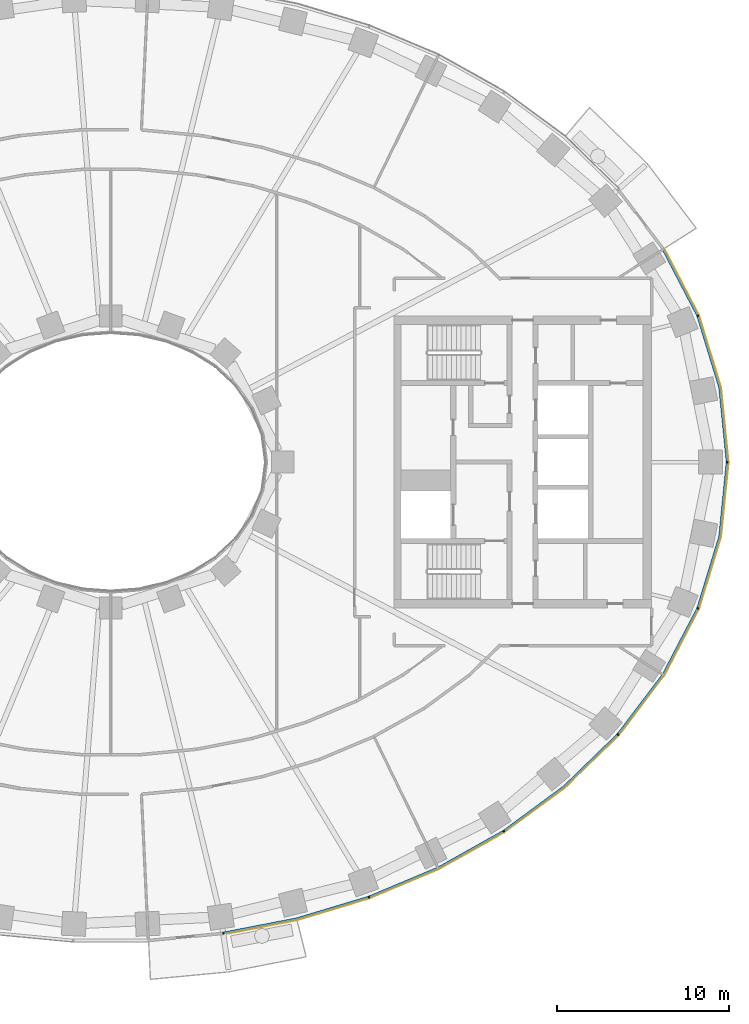
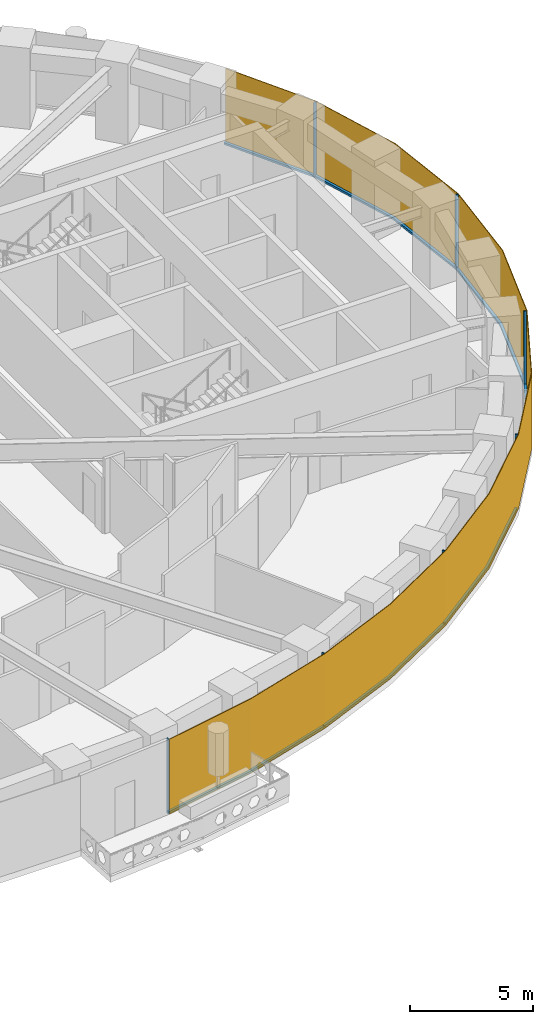
# One storey, part 10 of 16: 14 members, 1 curtain wall.
"""IFC4 building model written with IfcOpenShell, lengths in metres."""

from ifc_helpers import new_model, si_unit, direction, frame, origin, origin_2d, place, context, subcontext, project, spatial, polyline, rectangle, outline, extrude, material, layer, layer_set, material_profile, profile_set, type_object, element, aggregate, save


model = new_model("IFC4")

# Units and contexts
model_context = context("Model", 3, precision=1e-05, world=origin(), true_north=direction((0.0, 1.0)))
body_context = subcontext(model_context, "Body", "Model", "MODEL_VIEW")
ifc_project = project(units=[si_unit("LENGTHUNIT", "METRE"), si_unit("AREAUNIT", "SQUARE_METRE"), si_unit("VOLUMEUNIT", "CUBIC_METRE"), si_unit("PLANEANGLEUNIT", "RADIAN"), si_unit("MASSUNIT", "GRAM", prefix="KILO")], contexts=[model_context])

# Member
ifc_material_1 = material(Name="Aluminium 6063-T6 black anodised", Category="aluminium")
ifc_material_profile = material_profile(ifc_material_1, rectangle(XDim=0.1201171875, YDim=0.06005859375, at=origin_2d()), Name="120x60")
ifc_profile_set = profile_set([ifc_material_profile], Name="Aluminium 6063-T6 black anodised")
member_type_1 = type_object("IfcMemberType", Name="ENV-MULLION-A-120", PredefinedType="MULLION", material=ifc_profile_set)
site_placement = place(None, origin())
building_placement = place(site_placement, origin())
storey_placement = place(building_placement, frame((0.0, 0.0, 78.5)))
member_1_placement = place(storey_placement, frame((6.54638671875, -27.440185546875, 0.0), z_axis=(0.0, 0.0, 1.0), x_axis=(-0.143082012705, 0.989710835366, 0.0)))
member_1 = element("IfcMember", 1, at=member_1_placement, type_object=member_type_1, Name="Mullion A radial 37", PredefinedType="MULLION", context=body_context, shape_type="SweptSolid", body=[
    extrude(rectangle(XDim=0.1201171875, YDim=0.06005859375, at=origin_2d()), origin(), (0.0, 0.0, 1.0), 3.699951171875),
])

member_2_placement = place(storey_placement, frame((15.0341796875, -25.34375, 0.0), z_axis=(0.0, 0.0, 1.0), x_axis=(-0.338379256581, 0.941009818608, 0.0)))
member_2 = element("IfcMember", 2, at=member_2_placement, type_object=member_type_1, Name="Mullion A radial 39", PredefinedType="MULLION", context=body_context, shape_type="SweptSolid", body=[
    extrude(rectangle(XDim=0.1201171875, YDim=0.06005859375, at=origin_2d()), origin(), (0.0, 0.0, 1.0), 3.699951171875),
])

member_3_placement = place(storey_placement, frame((22.882568359375, -21.506591796875, 0.0), z_axis=(0.0, 0.0, 1.0), x_axis=(-0.542279153225, 0.840198381323, 0.0)))
member_3 = element("IfcMember", 3, at=member_3_placement, type_object=member_type_1, Name="Mullion A radial 41", PredefinedType="MULLION", context=body_context, shape_type="SweptSolid", body=[
    extrude(rectangle(XDim=0.1201171875, YDim=0.06005859375, at=origin_2d()), origin(), (0.0, 0.0, 1.0), 3.699951171875),
])

member_4_placement = place(storey_placement, frame((29.53857421875, -15.8671875, 0.0), z_axis=(0.0, 0.0, 1.0), x_axis=(-0.749047221705, 0.662516610853, 0.0)))
member_4 = element("IfcMember", 4, at=member_4_placement, type_object=member_type_1, Name="Mullion A radial 43", PredefinedType="MULLION", context=body_context, shape_type="SweptSolid", body=[
    extrude(rectangle(XDim=0.1201171875, YDim=0.06005859375, at=origin_2d()), origin(), (0.0, 0.0, 1.0), 3.699951171875),
])

member_5_placement = place(storey_placement, frame((34.19580078125, -8.513916015625, 0.0), z_axis=(0.0, 0.0, 1.0), x_axis=(-0.92546738067, 0.378827305398, 0.0)))
member_5 = element("IfcMember", 5, at=member_5_placement, type_object=member_type_1, Name="Mullion A radial 45", PredefinedType="MULLION", context=body_context, shape_type="SweptSolid", body=[
    extrude(rectangle(XDim=0.1201171875, YDim=0.06005859375, at=origin_2d()), origin(), (0.0, 0.0, 1.0), 3.699951171875),
])

member_6_placement = place(storey_placement, frame((35.907958984375, 0.0, 0.0), z_axis=(0.0, 0.0, 1.0), x_axis=(-1.0, 0.0, 0.0)))
member_6 = element("IfcMember", 6, at=member_6_placement, type_object=member_type_1, Name="Mullion A radial 01", PredefinedType="MULLION", context=body_context, shape_type="SweptSolid", body=[
    extrude(rectangle(XDim=0.1201171875, YDim=0.06005859375, at=origin_2d()), origin(), (0.0, 0.0, 1.0), 3.699951171875),
])

member_7_placement = place(storey_placement, frame((34.19580078125, 8.513916015625, 0.0), z_axis=(0.0, 0.0, 1.0), x_axis=(-0.92546738067, -0.378827305398, 0.0)))
member_7 = element("IfcMember", 7, at=member_7_placement, type_object=member_type_1, Name="Mullion A radial 03", PredefinedType="MULLION", context=body_context, shape_type="SweptSolid", body=[
    extrude(rectangle(XDim=0.1201171875, YDim=0.06005859375, at=origin_2d()), origin(), (0.0, 0.0, 1.0), 3.699951171875),
])

ifc_material_2 = material(Name="Aluminium 6063-T6 black anodised", Category="aluminium")
member_type_2 = type_object("IfcMemberType", Name="ENV-TRANSOM-A", PredefinedType="USERDEFINED", material=ifc_material_2)
member_8_placement = place(storey_placement, origin())
member_8 = element("IfcMember", 8, at=member_8_placement, type_object=member_type_2, Name="Transom A radial 37-39", ObjectType="TRANSOM", PredefinedType="USERDEFINED", context=body_context, shape_type="SweptSolid", body=[
    extrude(outline(polyline([(6.58251953125, -27.494140625), (10.857666015625, -26.6630859375), (15.027587890625, -25.408203125), (14.987060546875, -25.295166015625), (10.828857421875, -26.54638671875), (6.5654296875, -27.375244140625), (6.58251953125, -27.494140625)])), origin(), (0.0, 0.0, 1.0), 0.10009765625),
])

member_9_placement = place(storey_placement, origin())
member_9 = element("IfcMember", 9, at=member_9_placement, type_object=member_type_2, Name="Transom A radial 39-41", ObjectType="TRANSOM", PredefinedType="USERDEFINED", context=body_context, shape_type="SweptSolid", body=[
    extrude(outline(polyline([(15.080322265625, -25.389404296875), (19.093994140625, -23.701416015625), (22.890625, -21.570556640625), (22.825439453125, -21.469482421875), (19.041259765625, -23.593505859375), (15.03955078125, -25.276123046875), (15.080322265625, -25.389404296875)])), origin(), (0.0, 0.0, 1.0), 0.10009765625),
])

member_10_placement = place(storey_placement, origin())
member_10 = element("IfcMember", 10, at=member_10_placement, type_object=member_type_2, Name="Transom A radial 41-43", ObjectType="TRANSOM", PredefinedType="USERDEFINED", context=body_context, shape_type="SweptSolid", body=[
    extrude(outline(polyline([(22.937744140625, -21.540283203125), (26.4423828125, -18.958740234375), (29.5634765625, -15.926513671875), (29.473388671875, -15.8466796875), (26.364501953125, -18.866943359375), (22.87255859375, -21.439208984375), (22.937744140625, -21.540283203125)])), origin(), (0.0, 0.0, 1.0), 0.10009765625),
])

member_11_placement = place(storey_placement, origin())
member_11 = element("IfcMember", 11, at=member_11_placement, type_object=member_type_2, Name="Transom A radial 43-45", ObjectType="TRANSOM", PredefinedType="USERDEFINED", context=body_context, shape_type="SweptSolid", body=[
    extrude(outline(polyline([(29.6005859375, -15.884521484375), (32.22802734375, -12.41748046875), (34.23828125, -8.5615234375), (34.126708984375, -8.515869140625), (32.126220703125, -12.35302734375), (29.51025390625, -15.8046875), (29.6005859375, -15.884521484375)])), origin(), (0.0, 0.0, 1.0), 0.10009765625),
])

member_12_placement = place(storey_placement, origin())
member_12 = element("IfcMember", 12, at=member_12_placement, type_object=member_type_2, Name="Transom A radial 45-01", ObjectType="TRANSOM", PredefinedType="USERDEFINED", context=body_context, shape_type="SweptSolid", body=[
    extrude(outline(polyline([(34.259521484375, -8.509765625), (35.529541015625, -4.352294921875), (35.965087890625, -0.02783203125), (35.844482421875, -0.02783203125), (35.411376953125, -4.32861328125), (34.14794921875, -8.464111328125), (34.259521484375, -8.509765625)])), origin(), (0.0, 0.0, 1.0), 0.10009765625),
])

member_13_placement = place(storey_placement, origin())
member_13 = element("IfcMember", 13, at=member_13_placement, type_object=member_type_2, Name="Transom A radial 01-03", ObjectType="TRANSOM", PredefinedType="USERDEFINED", context=body_context, shape_type="SweptSolid", body=[
    extrude(outline(polyline([(35.965087890625, 0.02783203125), (35.529541015625, 4.352294921875), (34.259521484375, 8.509765625), (34.14794921875, 8.464111328125), (35.411376953125, 4.32861328125), (35.844482421875, 0.02783203125), (35.965087890625, 0.02783203125)])), origin(), (0.0, 0.0, 1.0), 0.10009765625),
])

member_14_placement = place(storey_placement, origin())
member_14 = element("IfcMember", 14, at=member_14_placement, type_object=member_type_2, Name="Transom A radial 03-04", ObjectType="TRANSOM", PredefinedType="USERDEFINED", context=body_context, shape_type="SweptSolid", body=[
    extrude(outline(polyline([(34.23828125, 8.5615234375), (32.2373046875, 12.39990234375), (32.135498046875, 12.33544921875), (34.126708984375, 8.515869140625), (34.23828125, 8.5615234375)])), origin(), (0.0, 0.0, 1.0), 0.10009765625),
])

# Site, building, storey
site = spatial("IfcSite", under=ifc_project, at=site_placement, CompositionType="ELEMENT")
building = spatial("IfcBuilding", under=site, at=building_placement, Name="Noorbagh Ring Tower", CompositionType="ELEMENT")
storey = spatial("IfcBuildingStorey", under=building, at=storey_placement, Name="L17", CompositionType="ELEMENT", Elevation=78.5)

# Curtain wall
ifc_material_3 = material(Name="Glass dark tinted laminated", Category="glass")
ifc_layer = layer(ifc_material_3, 0.031982421875)
ifc_layer_set = layer_set([ifc_layer], Name="Glass dark tinted laminated")
curtain_wall_type = type_object("IfcCurtainWallType", Name="ENV-CW-A", PredefinedType="NOTDEFINED", material=ifc_layer_set)
curtain_wall_placement = place(storey_placement, origin())
curtain_wall = element("IfcCurtainWall", 15, at=curtain_wall_placement, inside=storey, type_object=curtain_wall_type, Name="Curtain wall A R37", PredefinedType="NOTDEFINED", context=body_context, shape_type="SweptSolid", body=[
    extrude(outline(polyline([(6.579345703125, -27.52734375), (10.865234375, -26.6943359375), (15.065185546875, -25.430419921875), (19.108154296875, -23.730224609375), (22.9326171875, -21.583740234375), (26.463134765625, -18.9833984375), (29.607666015625, -15.927978515625), (32.255126953125, -12.434814453125), (34.281005859375, -8.548828125), (35.561279296875, -4.358642578125), (36.0, 0.0), (35.561279296875, 4.358642578125), (34.281005859375, 8.548828125), (32.264404296875, 12.4169921875), (32.2373046875, 12.39990234375), (34.251220703125, 8.53662109375), (35.529541015625, 4.352294921875), (35.9677734375, 0.0), (35.529541015625, -4.352294921875), (34.251220703125, -8.53662109375), (32.22802734375, -12.41748046875), (29.58349609375, -15.906982421875), (26.4423828125, -18.958740234375), (22.9150390625, -21.556884765625), (19.093994140625, -23.701416015625), (15.054443359375, -25.400146484375), (10.857666015625, -26.6630859375), (6.57470703125, -27.49560546875), (6.579345703125, -27.52734375)])), origin(), (0.0, 0.0, 1.0), 3.699951171875),
])

aggregate(curtain_wall, [member_1, member_2, member_3, member_4, member_5, member_6, member_7, member_8, member_9, member_10, member_11, member_12, member_13, member_14])

save(model, "model.ifc")
